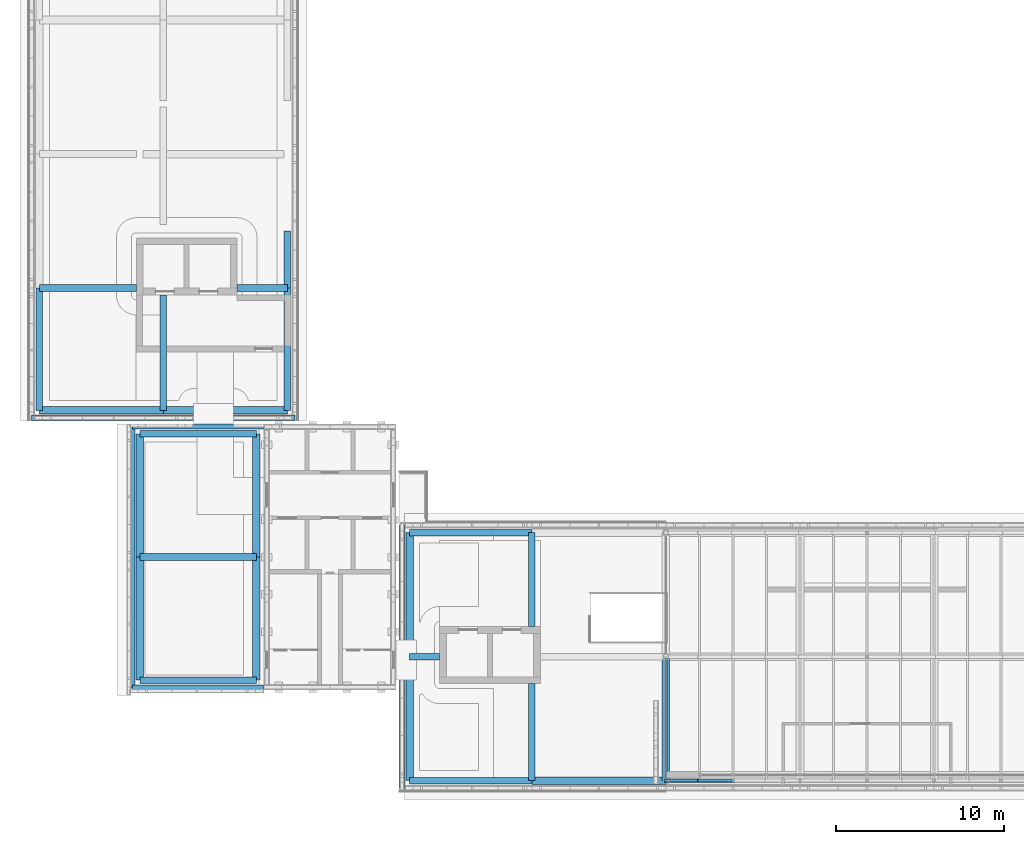
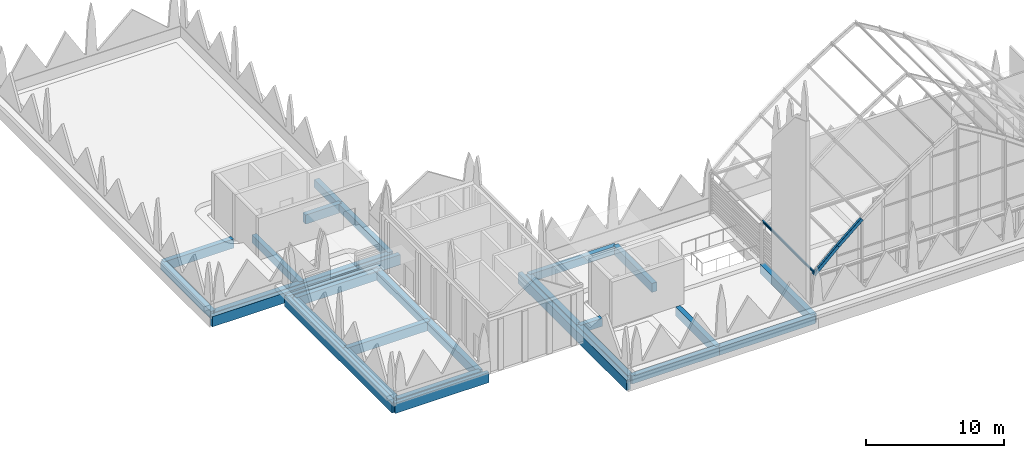
# One storey, part 2 of 18: 29 beams, 3 members.
"""IFC4 building model written with IfcOpenShell, lengths in metres."""

from ifc_helpers import new_model, si_unit, direction, frame, origin, origin_2d, place, context, subcontext, project, spatial, rectangle, hollow_rectangle, i_section, extrude, material, material_profile, profile_set, type_object, element, save


model = new_model("IFC4")

# Units and contexts
model_context = context("Model", 3, precision=1e-05, world=origin(), true_north=direction((0.0, 1.0)))
body_context = subcontext(model_context, "Body", "Model", "MODEL_VIEW")
ifc_project = project(units=[si_unit("LENGTHUNIT", "METRE"), si_unit("AREAUNIT", "SQUARE_METRE"), si_unit("VOLUMEUNIT", "CUBIC_METRE"), si_unit("PLANEANGLEUNIT", "RADIAN"), si_unit("MASSUNIT", "GRAM", prefix="KILO")], contexts=[model_context])

# Site, building, storey
site_placement = place(None, origin())
site = spatial("IfcSite", under=ifc_project, at=site_placement, CompositionType="ELEMENT")
building_placement = place(site_placement, origin())
building = spatial("IfcBuilding", under=site, at=building_placement, Name="Lantern Court Media Centre", CompositionType="ELEMENT")
storey_placement = place(building_placement, frame((0.0, 0.0, 33.60009765625)))
storey = spatial("IfcBuildingStorey", under=building, at=storey_placement, Name="R00", CompositionType="ELEMENT", Elevation=33.60009765625)

# Members
ifc_material_1 = material(Name="Steel S355J2 (EN 10025-2)", Category="steel")
ifc_material_profile_1 = material_profile(ifc_material_1, hollow_rectangle(XDim=0.199951171875, YDim=0.300048828125, WallThickness=0.010009765625, InnerFilletRadius=0.010009765625, OuterFilletRadius=0.014892578125, at=origin_2d()), Name="Pavilion arch RHS 300x200x10")
ifc_profile_set_1 = profile_set([ifc_material_profile_1], Name="Steel S355J2 (EN 10025-2)")
member_type_1 = type_object("IfcMemberType", Name="Pavilion arch RHS 300x200x10", PredefinedType="RAFTER", material=ifc_profile_set_1)
member_1_placement = place(storey_placement, frame((40.0, 42.60009765625, 3.5), z_axis=(0.73434962729, 0.0, 0.678771408428), x_axis=(0.0, 1.0, 0.0)))
element("IfcMember", 1, at=member_1_placement, inside=storey, type_object=member_type_1, Name="Pavilion arch 1 segment 1", PredefinedType="RAFTER", context=body_context, shape_type="SweptSolid", body=[
    extrude(hollow_rectangle(XDim=0.199951171875, YDim=0.300048828125, WallThickness=0.010009765625, InnerFilletRadius=0.010009765625, OuterFilletRadius=0.014892578125, at=origin_2d()), origin(), (0.0, 0.0, 1.0), 2.723388671875),
])
member_2_placement = place(storey_placement, frame((42.0, 42.60009765625, 5.3486328125), z_axis=(0.763785766205, 0.0, 0.645469831474), x_axis=(0.0, 1.0, 0.0)))
element("IfcMember", 2, at=member_2_placement, inside=storey, type_object=member_type_1, Name="Pavilion arch 1 segment 2", PredefinedType="RAFTER", context=body_context, shape_type="SweptSolid", body=[
    extrude(hollow_rectangle(XDim=0.199951171875, YDim=0.300048828125, WallThickness=0.010009765625, InnerFilletRadius=0.010009765625, OuterFilletRadius=0.014892578125, at=origin_2d()), origin(), (0.0, 0.0, 1.0), 2.61865234375),
])
ifc_material_profile_2 = material_profile(ifc_material_1, i_section(OverallWidth=0.10009765625, OverallDepth=0.199951171875, WebThickness=0.005615234375, FlangeThickness=0.008544921875, FilletRadius=0.011962890625, at=origin_2d()), Name="IPE 200")
ifc_profile_set_2 = profile_set([ifc_material_profile_2], Name="Steel S355J2 (EN 10025-2)")
member_type_2 = type_object("IfcMemberType", Name="Pavilion purlin IPE 200", PredefinedType="PURLIN", material=ifc_profile_set_2)
member_3_placement = place(storey_placement, frame((40.0, 42.60009765625, 3.75), z_axis=(0.0, 1.0, 0.0), x_axis=(-1.0, 0.0, 0.0)))
element("IfcMember", 3, at=member_3_placement, inside=storey, type_object=member_type_2, Name="Pavilion purlin 1-1", PredefinedType="PURLIN", context=body_context, shape_type="SweptSolid", body=[
    extrude(i_section(OverallWidth=0.10009765625, OverallDepth=0.199951171875, WebThickness=0.005615234375, FlangeThickness=0.008544921875, FilletRadius=0.011962890625, at=origin_2d()), origin(), (0.0, 0.0, 1.0), 7.39990234375),
])

# Beams
ifc_material_2 = material(Name="Concrete C35", Category="concrete")
ifc_material_profile_3 = material_profile(ifc_material_2, rectangle(XDim=0.300048828125, YDim=0.89990234375, at=origin_2d()), Name="RC 300x900")
ifc_profile_set_3 = profile_set([ifc_material_profile_3], Name="Concrete C35")
beam_type_1 = type_object("IfcBeamType", Name="RC BEAM 300x900", PredefinedType="BEAM", material=ifc_profile_set_3)
for number, where, z_axis, x_axis, name in (
    (4, (8.14990234375, 48.14990234375, -0.4501953125), (1.0, 0.0, 0.0), (0.0, 1.0, 0.0), "EB-SW-R00-S"),
    (5, (8.14990234375, 63.75, -0.4501953125), (1.0, 0.0, 0.0), (0.0, 1.0, 0.0), "EB-SW-R00-N"),
):
    element("IfcBeam", number, at=place(storey_placement, frame(where, z_axis=z_axis, x_axis=x_axis)), inside=storey, type_object=beam_type_1, Name=name, PredefinedType="BEAM", context=body_context, shape_type="SweptSolid", body=[
        extrude(rectangle(XDim=0.300048828125, YDim=0.89990234375, at=origin_2d()), origin(), (0.0, 0.0, 1.0), 7.830078125),
    ])
ifc_material_profile_4 = material_profile(ifc_material_2, rectangle(XDim=0.35009765625, YDim=0.89990234375, at=origin_2d()), Name="RC 350x900")
ifc_profile_set_4 = profile_set([ifc_material_profile_4], Name="Concrete C35")
beam_type_2 = type_object("IfcBeamType", Name="RC BEAM 350x900", PredefinedType="BEAM", material=ifc_profile_set_4)
beam_1_placement = place(storey_placement, frame((8.14990234375, 48.14990234375, -0.4501953125), z_axis=(0.0, 1.0, 0.0), x_axis=(-1.0, 0.0, 0.0)))
element("IfcBeam", 6, at=beam_1_placement, inside=storey, type_object=beam_type_2, Name="EB-SW-R00-W", PredefinedType="BEAM", context=body_context, shape_type="SweptSolid", body=[
    extrude(rectangle(XDim=0.35009765625, YDim=0.89990234375, at=origin_2d()), origin(), (0.0, 0.0, 1.0), 15.60009765625),
])
for number, where, z_axis, x_axis, name in (
    (7, (24.25, 42.14990234375, -0.4501953125), (0.0, 1.0, 0.0), (-1.0, 0.0, 0.0), "EB-S-R00-C"),
    (8, (2.14990234375, 64.25, -0.4501953125), (1.0, 0.0, 0.0), (0.0, 1.0, 0.0), "EB-W-R00-C"),
):
    element("IfcBeam", number, at=place(storey_placement, frame(where, z_axis=z_axis, x_axis=x_axis)), inside=storey, type_object=beam_type_2, Name=name, PredefinedType="BEAM", context=body_context, shape_type="SweptSolid", body=[
        extrude(rectangle(XDim=0.35009765625, YDim=0.89990234375, at=origin_2d()), origin(), (0.0, 0.0, 1.0), 15.7001953125),
    ])
ifc_material_profile_5 = material_profile(ifc_material_2, rectangle(XDim=0.39990234375, YDim=0.699951171875, at=origin_2d()), Name="RC 400x700")
ifc_profile_set_5 = profile_set([ifc_material_profile_5], Name="Concrete C35")
beam_type_3 = type_object("IfcBeamType", Name="RC BEAM 400x700", PredefinedType="BEAM", material=ifc_profile_set_5)
beam_2_placement = place(storey_placement, frame((24.699951171875, 42.60009765625, -0.35009765625), z_axis=(1.0, 0.0, 0.0), x_axis=(0.0, 1.0, 0.0)))
element("IfcBeam", 9, at=beam_2_placement, inside=storey, type_object=beam_type_3, Name="LB-S-R00-0-0", PredefinedType="BEAM", context=body_context, shape_type="SweptSolid", body=[
    extrude(rectangle(XDim=0.39990234375, YDim=0.699951171875, at=origin_2d()), origin(), (0.0, 0.0, 1.0), 7.300048828125),
])
beam_3_placement = place(storey_placement, frame((24.699951171875, 50.0, -0.35009765625), z_axis=(1.0, 0.0, 0.0), x_axis=(0.0, 1.0, 0.0)))
element("IfcBeam", 10, at=beam_3_placement, inside=storey, type_object=beam_type_3, Name="LB-S-R00-1-0", PredefinedType="BEAM", context=body_context, shape_type="SweptSolid", body=[
    extrude(rectangle(XDim=0.39990234375, YDim=0.699951171875, at=origin_2d()), origin(), (0.0, 0.0, 1.0), 1.800048828125),
])
for number, where, z_axis, x_axis, name in (
    (11, (24.699951171875, 57.39990234375, -0.35009765625), (1.0, 0.0, 0.0), (0.0, 1.0, 0.0), "LB-S-R00-2-0"),
    (12, (2.60009765625, 64.699951171875, -0.35009765625), (0.0, 1.0, 0.0), (-1.0, 0.0, 0.0), "LB-W-R00-0-0"),
):
    element("IfcBeam", number, at=place(storey_placement, frame(where, z_axis=z_axis, x_axis=x_axis)), inside=storey, type_object=beam_type_3, Name=name, PredefinedType="BEAM", context=body_context, shape_type="SweptSolid", body=[
        extrude(rectangle(XDim=0.39990234375, YDim=0.699951171875, at=origin_2d()), origin(), (0.0, 0.0, 1.0), 7.300048828125),
    ])
beam_4_placement = place(storey_placement, frame((10.0, 64.699951171875, -0.35009765625), z_axis=(0.0, 1.0, 0.0), x_axis=(-1.0, 0.0, 0.0)))
element("IfcBeam", 13, at=beam_4_placement, inside=storey, type_object=beam_type_3, Name="LB-W-R00-1-0", PredefinedType="BEAM", context=body_context, shape_type="SweptSolid", body=[
    extrude(rectangle(XDim=0.39990234375, YDim=0.699951171875, at=origin_2d()), origin(), (0.0, 0.0, 1.0), 6.900146484375),
])
beam_5_placement = place(storey_placement, frame((17.39990234375, 64.699951171875, -0.35009765625), z_axis=(0.0, 1.0, 0.0), x_axis=(-1.0, 0.0, 0.0)))
element("IfcBeam", 14, at=beam_5_placement, inside=storey, type_object=beam_type_3, Name="LB-W-R00-2-0", PredefinedType="BEAM", context=body_context, shape_type="SweptSolid", body=[
    extrude(rectangle(XDim=0.39990234375, YDim=0.699951171875, at=origin_2d()), origin(), (0.0, 0.0, 1.0), 7.300048828125),
])
beam_6_placement = place(storey_placement, frame((17.39990234375, 72.0, -0.35009765625), z_axis=(0.0, 1.0, 0.0), x_axis=(-1.0, 0.0, 0.0)))
element("IfcBeam", 15, at=beam_6_placement, inside=storey, type_object=beam_type_3, Name="LB-W-R00-2-1", PredefinedType="BEAM", context=body_context, shape_type="SweptSolid", body=[
    extrude(rectangle(XDim=0.39990234375, YDim=0.699951171875, at=origin_2d()), origin(), (0.0, 0.0, 1.0), 3.39990234375),
])
ifc_material_profile_6 = material_profile(ifc_material_2, rectangle(XDim=0.39990234375, YDim=0.800048828125, at=origin_2d()), Name="RC 400x800")
ifc_profile_set_6 = profile_set([ifc_material_profile_6], Name="Concrete C35")
beam_type_4 = type_object("IfcBeamType", Name="RC BEAM 400x800", PredefinedType="BEAM", material=ifc_profile_set_6)
for number, where, z_axis, x_axis, name in (
    (16, (8.60009765625, 48.60009765625, -0.400146484375), (1.0, 0.0, 0.0), (0.0, 1.0, 0.0), "BB-SW-R00-Y0-48"),
    (17, (8.60009765625, 55.949951171875, -0.400146484375), (1.0, 0.0, 0.0), (0.0, 1.0, 0.0), "BB-SW-R00-Y0-55"),
    (18, (8.60009765625, 63.300048828125, -0.400146484375), (1.0, 0.0, 0.0), (0.0, 1.0, 0.0), "BB-SW-R00-Y0-63"),
):
    element("IfcBeam", number, at=place(storey_placement, frame(where, z_axis=z_axis, x_axis=x_axis)), inside=storey, type_object=beam_type_4, Name=name, PredefinedType="BEAM", context=body_context, shape_type="SweptSolid", body=[
        extrude(rectangle(XDim=0.39990234375, YDim=0.800048828125, at=origin_2d()), origin(), (0.0, 0.0, 1.0), 6.949951171875),
    ])
beam_7_placement = place(storey_placement, frame((32.0, 42.60009765625, -0.400146484375), z_axis=(0.0, 1.0, 0.0), x_axis=(-1.0, 0.0, 0.0)))
element("IfcBeam", 19, at=beam_7_placement, inside=storey, type_object=beam_type_4, Name="TB-S-R00-1-1", PredefinedType="BEAM", context=body_context, shape_type="SweptSolid", body=[
    extrude(rectangle(XDim=0.39990234375, YDim=0.800048828125, at=origin_2d()), origin(), (0.0, 0.0, 1.0), 5.7998046875),
])
beam_8_placement = place(storey_placement, frame((32.0, 51.800048828125, -0.400146484375), z_axis=(0.0, 1.0, 0.0), x_axis=(-1.0, 0.0, 0.0)))
element("IfcBeam", 20, at=beam_8_placement, inside=storey, type_object=beam_type_4, Name="TB-S-R00-1-11", PredefinedType="BEAM", context=body_context, shape_type="SweptSolid", body=[
    extrude(rectangle(XDim=0.39990234375, YDim=0.800048828125, at=origin_2d()), origin(), (0.0, 0.0, 1.0), 5.599853515625),
])
beam_9_placement = place(storey_placement, frame((2.60009765625, 72.0, -0.400146484375), z_axis=(1.0, 0.0, 0.0), x_axis=(0.0, 1.0, 0.0)))
element("IfcBeam", 21, at=beam_9_placement, inside=storey, type_object=beam_type_4, Name="TB-W-R00-1-1", PredefinedType="BEAM", context=body_context, shape_type="SweptSolid", body=[
    extrude(rectangle(XDim=0.39990234375, YDim=0.800048828125, at=origin_2d()), origin(), (0.0, 0.0, 1.0), 5.7998046875),
])
beam_10_placement = place(storey_placement, frame((14.39990234375, 72.0, -0.400146484375), z_axis=(1.0, 0.0, 0.0), x_axis=(0.0, 1.0, 0.0)))
element("IfcBeam", 22, at=beam_10_placement, inside=storey, type_object=beam_type_4, Name="TB-W-R00-1-11", PredefinedType="BEAM", context=body_context, shape_type="SweptSolid", body=[
    extrude(rectangle(XDim=0.39990234375, YDim=0.800048828125, at=origin_2d()), origin(), (0.0, 0.0, 1.0), 3.0),
])
ifc_material_profile_7 = material_profile(ifc_material_2, rectangle(XDim=0.449951171875, YDim=0.699951171875, at=origin_2d()), Name="RC 450x700")
ifc_profile_set_7 = profile_set([ifc_material_profile_7], Name="Concrete C35")
beam_type_5 = type_object("IfcBeamType", Name="RC BEAM 450x700", PredefinedType="BEAM", material=ifc_profile_set_7)
beam_11_placement = place(storey_placement, frame((32.0, 42.60009765625, -0.35009765625), z_axis=(1.0, 0.0, 0.0), x_axis=(0.0, 1.0, 0.0)))
element("IfcBeam", 23, at=beam_11_placement, inside=storey, type_object=beam_type_5, Name="LB-S-R00-0-1", PredefinedType="BEAM", context=body_context, shape_type="SweptSolid", body=[
    extrude(rectangle(XDim=0.449951171875, YDim=0.699951171875, at=origin_2d()), origin(), (0.0, 0.0, 1.0), 8.0),
])
ifc_material_profile_8 = material_profile(ifc_material_2, rectangle(XDim=0.449951171875, YDim=0.800048828125, at=origin_2d()), Name="RC 450x800")
ifc_profile_set_8 = profile_set([ifc_material_profile_8], Name="Concrete C35")
beam_type_6 = type_object("IfcBeamType", Name="RC BEAM 450x800", PredefinedType="BEAM", material=ifc_profile_set_8)
beam_12_placement = place(storey_placement, frame((8.60009765625, 48.60009765625, -0.400146484375), z_axis=(0.0, 1.0, 0.0), x_axis=(-1.0, 0.0, 0.0)))
element("IfcBeam", 24, at=beam_12_placement, inside=storey, type_object=beam_type_6, Name="BB-SW-R00-X0-8", PredefinedType="BEAM", context=body_context, shape_type="SweptSolid", body=[
    extrude(rectangle(XDim=0.449951171875, YDim=0.800048828125, at=origin_2d()), origin(), (0.0, 0.0, 1.0), 7.349853515625),
])
beam_13_placement = place(storey_placement, frame((8.60009765625, 55.949951171875, -0.400146484375), z_axis=(0.0, 1.0, 0.0), x_axis=(-1.0, 0.0, 0.0)))
element("IfcBeam", 25, at=beam_13_placement, inside=storey, type_object=beam_type_6, Name="BB-SW-R00-X1-8", PredefinedType="BEAM", context=body_context, shape_type="SweptSolid", body=[
    extrude(rectangle(XDim=0.449951171875, YDim=0.800048828125, at=origin_2d()), origin(), (0.0, 0.0, 1.0), 7.35009765625),
])
beam_14_placement = place(storey_placement, frame((15.550048828125, 48.60009765625, -0.400146484375), z_axis=(0.0, 1.0, 0.0), x_axis=(-1.0, 0.0, 0.0)))
element("IfcBeam", 26, at=beam_14_placement, inside=storey, type_object=beam_type_6, Name="BB-SW-R00-X0-15", PredefinedType="BEAM", context=body_context, shape_type="SweptSolid", body=[
    extrude(rectangle(XDim=0.449951171875, YDim=0.800048828125, at=origin_2d()), origin(), (0.0, 0.0, 1.0), 7.349853515625),
])
beam_15_placement = place(storey_placement, frame((15.550048828125, 55.949951171875, -0.400146484375), z_axis=(0.0, 1.0, 0.0), x_axis=(-1.0, 0.0, 0.0)))
element("IfcBeam", 27, at=beam_15_placement, inside=storey, type_object=beam_type_6, Name="BB-SW-R00-X1-15", PredefinedType="BEAM", context=body_context, shape_type="SweptSolid", body=[
    extrude(rectangle(XDim=0.449951171875, YDim=0.800048828125, at=origin_2d()), origin(), (0.0, 0.0, 1.0), 7.35009765625),
])
for number, where, z_axis, x_axis, name in (
    (28, (24.699951171875, 42.60009765625, -0.400146484375), (0.0, 1.0, 0.0), (-1.0, 0.0, 0.0), "TB-S-R00-0-1"),
    (29, (24.699951171875, 50.0, -0.400146484375), (0.0, 1.0, 0.0), (-1.0, 0.0, 0.0), "TB-S-R00-0-2"),
    (30, (40.0, 42.60009765625, -0.400146484375), (0.0, 1.0, 0.0), (-1.0, 0.0, 0.0), "TB-S-R00-2-1"),
    (31, (2.60009765625, 64.699951171875, -0.400146484375), (1.0, 0.0, 0.0), (0.0, 1.0, 0.0), "TB-W-R00-0-1"),
    (32, (10.0, 64.699951171875, -0.400146484375), (1.0, 0.0, 0.0), (0.0, 1.0, 0.0), "TB-W-R00-0-2"),
):
    element("IfcBeam", number, at=place(storey_placement, frame(where, z_axis=z_axis, x_axis=x_axis)), inside=storey, type_object=beam_type_6, Name=name, PredefinedType="BEAM", context=body_context, shape_type="SweptSolid", body=[
        extrude(rectangle(XDim=0.449951171875, YDim=0.800048828125, at=origin_2d()), origin(), (0.0, 0.0, 1.0), 7.39990234375),
    ])

save(model, "model.ifc")
